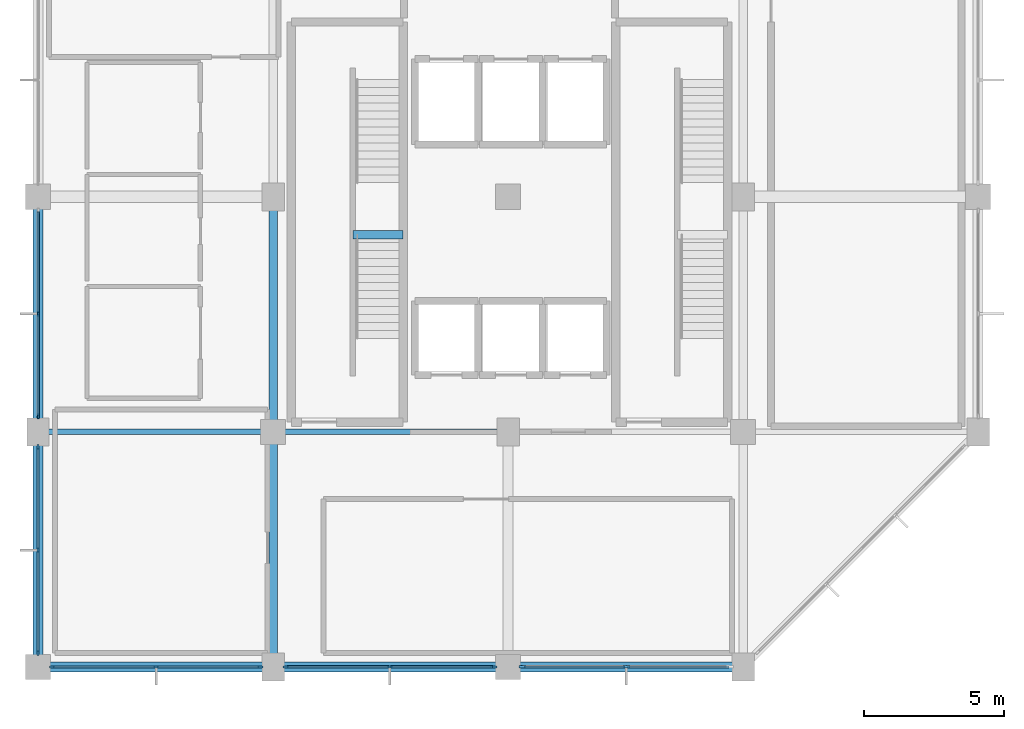
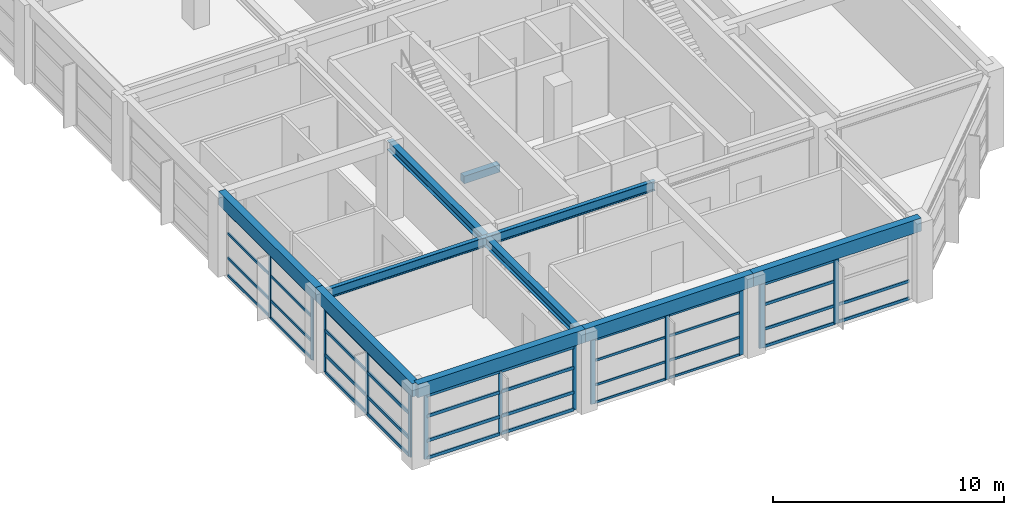
# One storey, part 2 of 12: 51 members, 10 beams, 5 elements without a shape of their own.
"""IFC4 building model written with IfcOpenShell, lengths in metres."""

from ifc_helpers import new_model, si_unit, direction, frame, origin, origin_2d, place, context, subcontext, project, spatial, rectangle, i_section, extrude, material, material_profile, profile_set, type_object, element, aggregate, save


model = new_model("IFC4")

# Units and contexts
model_context = context("Model", 3, precision=1e-05, world=origin(), true_north=direction((0.0, 1.0)))
body_context = subcontext(model_context, "Body", "Model", "MODEL_VIEW")
ifc_project = project(units=[si_unit("LENGTHUNIT", "METRE"), si_unit("AREAUNIT", "SQUARE_METRE"), si_unit("VOLUMEUNIT", "CUBIC_METRE"), si_unit("PLANEANGLEUNIT", "RADIAN"), si_unit("MASSUNIT", "GRAM", prefix="KILO")], contexts=[model_context])

# Site, building, storey
site_placement = place(None, origin())
site = spatial("IfcSite", under=ifc_project, at=site_placement, CompositionType="ELEMENT")
building_placement = place(site_placement, origin())
building = spatial("IfcBuilding", under=site, at=building_placement, Name="Xuanlan Plaza Opera House", CompositionType="ELEMENT")
storey_placement = place(building_placement, frame((0.0, 0.0, 65.699951171875)))
storey = spatial("IfcBuildingStorey", under=building, at=storey_placement, Name="L15", CompositionType="ELEMENT", Elevation=65.699951171875)

# Curtain wall, members
ifc_material_1 = material(Name="Anodised Aluminium 6063-T6 and Low-E Glass", Category="aluminium")
curtain_wall_type_1 = type_object("IfcCurtainWallType", Name="ENV-CW-CW-04", PredefinedType="USERDEFINED", material=ifc_material_1)
curtain_wall_1_placement = place(storey_placement, origin())
curtain_wall_1 = element("IfcCurtainWall", 1, at=curtain_wall_1_placement, inside=storey, type_object=curtain_wall_type_1, Name="Unitised Curtain Wall L15-015", ObjectType="UNITISED CURTAIN WALL", PredefinedType="USERDEFINED")
ifc_material_2 = material(Name="Anodised Aluminium 6063-T6", Category="aluminium")
ifc_material_profile_1 = material_profile(ifc_material_2, rectangle(XDim=0.070068359375, YDim=0.179931640625, at=origin_2d()), Name="ALU-M 70x180")
ifc_profile_set_1 = profile_set([ifc_material_profile_1], Name="Anodised Aluminium 6063-T6")
member_type_1 = type_object("IfcMemberType", Name="ENV-CWM-02", PredefinedType="MULLION", material=ifc_profile_set_1)
member_1_placement = place(storey_placement, frame((126.0, 54.625, 0.0), z_axis=(0.0, 0.0, 1.0), x_axis=(1.0, 0.0, 0.0)))
member_1 = element("IfcMember", 2, at=member_1_placement, type_object=member_type_1, Name="CW-04 mullion 2", PredefinedType="MULLION", context=body_context, shape_type="SweptSolid", body=[
    extrude(rectangle(XDim=0.070068359375, YDim=0.179931640625, at=origin_2d()), origin(), (0.0, 0.0, 1.0), 3.380126953125),
])
member_2_placement = place(storey_placement, frame((126.0, 50.955078125, 0.0), z_axis=(0.0, 0.0, 1.0), x_axis=(1.0, 0.0, 0.0)))
member_2 = element("IfcMember", 3, at=member_2_placement, type_object=member_type_1, Name="CW-04 mullion 3", PredefinedType="MULLION", context=body_context, shape_type="SweptSolid", body=[
    extrude(rectangle(XDim=0.070068359375, YDim=0.179931640625, at=origin_2d()), origin(), (0.0, 0.0, 1.0), 3.380126953125),
])

curtain_wall_type_2 = type_object("IfcCurtainWallType", Name="ENV-CW-CW-02", PredefinedType="USERDEFINED", material=ifc_material_1)
curtain_wall_2_placement = place(storey_placement, origin())
curtain_wall_2 = element("IfcCurtainWall", 4, at=curtain_wall_2_placement, inside=storey, type_object=curtain_wall_type_2, Name="Unitised Curtain Wall L15-001", ObjectType="UNITISED CURTAIN WALL", PredefinedType="USERDEFINED")
ifc_material_profile_2 = material_profile(ifc_material_2, rectangle(XDim=0.074951171875, YDim=0.199951171875, at=origin_2d()), Name="ALU-M 75x200")
ifc_profile_set_2 = profile_set([ifc_material_profile_2], Name="Anodised Aluminium 6063-T6")
member_type_2 = type_object("IfcMemberType", Name="ENV-CWM-03", PredefinedType="MULLION", material=ifc_profile_set_2)
member_3_placement = place(storey_placement, frame((126.507568359375, 42.0, 0.0), z_axis=(0.0, 0.0, 1.0), x_axis=(0.0, 1.0, 0.0)))
member_3 = element("IfcMember", 5, at=member_3_placement, type_object=member_type_2, Name="CW-02 mullion 1", PredefinedType="MULLION", context=body_context, shape_type="SweptSolid", body=[
    extrude(rectangle(XDim=0.074951171875, YDim=0.199951171875, at=origin_2d()), origin(), (0.0, 0.0, 1.0), 3.380126953125),
])
member_4_placement = place(storey_placement, frame((130.22509765625, 42.0, 0.0), z_axis=(0.0, 0.0, 1.0), x_axis=(0.0, 1.0, 0.0)))
member_4 = element("IfcMember", 6, at=member_4_placement, type_object=member_type_2, Name="CW-02 mullion 2", PredefinedType="MULLION", context=body_context, shape_type="SweptSolid", body=[
    extrude(rectangle(XDim=0.074951171875, YDim=0.199951171875, at=origin_2d()), origin(), (0.0, 0.0, 1.0), 3.380126953125),
])
member_5_placement = place(storey_placement, frame((133.9423828125, 42.0, 0.0), z_axis=(0.0, 0.0, 1.0), x_axis=(0.0, 1.0, 0.0)))
member_5 = element("IfcMember", 7, at=member_5_placement, type_object=member_type_2, Name="CW-02 mullion 3", PredefinedType="MULLION", context=body_context, shape_type="SweptSolid", body=[
    extrude(rectangle(XDim=0.074951171875, YDim=0.199951171875, at=origin_2d()), origin(), (0.0, 0.0, 1.0), 3.380126953125),
])

curtain_wall_type_3 = type_object("IfcCurtainWallType", Name="ENV-CW-CW-01", PredefinedType="USERDEFINED", material=ifc_material_1)
curtain_wall_3_placement = place(storey_placement, origin())
curtain_wall_3 = element("IfcCurtainWall", 8, at=curtain_wall_3_placement, inside=storey, type_object=curtain_wall_type_3, Name="Unitised Curtain Wall L15-016", ObjectType="UNITISED CURTAIN WALL", PredefinedType="USERDEFINED")
member_6_placement = place(storey_placement, frame((126.0, 49.842529296875, 0.0), z_axis=(0.0, 0.0, 1.0), x_axis=(1.0, 0.0, 0.0)))
member_6 = element("IfcMember", 9, at=member_6_placement, type_object=member_type_2, Name="CW-01 mullion 1", PredefinedType="MULLION", context=body_context, shape_type="SweptSolid", body=[
    extrude(rectangle(XDim=0.074951171875, YDim=0.199951171875, at=origin_2d()), origin(), (0.0, 0.0, 1.0), 3.380126953125),
])
member_7_placement = place(storey_placement, frame((126.0, 46.175048828125, 0.0), z_axis=(0.0, 0.0, 1.0), x_axis=(1.0, 0.0, 0.0)))
member_7 = element("IfcMember", 10, at=member_7_placement, type_object=member_type_2, Name="CW-01 mullion 2", PredefinedType="MULLION", context=body_context, shape_type="SweptSolid", body=[
    extrude(rectangle(XDim=0.074951171875, YDim=0.199951171875, at=origin_2d()), origin(), (0.0, 0.0, 1.0), 3.380126953125),
])
member_8_placement = place(storey_placement, frame((126.0, 42.507568359375, 0.0), z_axis=(0.0, 0.0, 1.0), x_axis=(1.0, 0.0, 0.0)))
member_8 = element("IfcMember", 11, at=member_8_placement, type_object=member_type_2, Name="CW-01 mullion 3", PredefinedType="MULLION", context=body_context, shape_type="SweptSolid", body=[
    extrude(rectangle(XDim=0.074951171875, YDim=0.199951171875, at=origin_2d()), origin(), (0.0, 0.0, 1.0), 3.380126953125),
])

curtain_wall_type_4 = type_object("IfcCurtainWallType", Name="ENV-CW-CW-03", PredefinedType="USERDEFINED", material=ifc_material_1)
curtain_wall_4_placement = place(storey_placement, origin())
curtain_wall_4 = element("IfcCurtainWall", 12, at=curtain_wall_4_placement, inside=storey, type_object=curtain_wall_type_4, Name="Unitised Curtain Wall L15-002", ObjectType="UNITISED CURTAIN WALL", PredefinedType="USERDEFINED")
ifc_material_profile_3 = material_profile(ifc_material_2, rectangle(XDim=0.080078125, YDim=0.219970703125, at=origin_2d()), Name="ALU-M 80x220")
ifc_profile_set_3 = profile_set([ifc_material_profile_3], Name="Anodised Aluminium 6063-T6")
member_type_3 = type_object("IfcMemberType", Name="ENV-CWM-04", PredefinedType="MULLION", material=ifc_profile_set_3)
member_9_placement = place(storey_placement, frame((134.860107421875, 42.0, 0.0), z_axis=(0.0, 0.0, 1.0), x_axis=(0.0, 1.0, 0.0)))
member_9 = element("IfcMember", 13, at=member_9_placement, type_object=member_type_3, Name="CW-03 mullion 1", PredefinedType="MULLION", context=body_context, shape_type="SweptSolid", body=[
    extrude(rectangle(XDim=0.080078125, YDim=0.219970703125, at=origin_2d()), origin(), (0.0, 0.0, 1.0), 3.380126953125),
])
member_10_placement = place(storey_placement, frame((138.574951171875, 42.0, 0.0), z_axis=(0.0, 0.0, 1.0), x_axis=(0.0, 1.0, 0.0)))
member_10 = element("IfcMember", 14, at=member_10_placement, type_object=member_type_3, Name="CW-03 mullion 2", PredefinedType="MULLION", context=body_context, shape_type="SweptSolid", body=[
    extrude(rectangle(XDim=0.080078125, YDim=0.219970703125, at=origin_2d()), origin(), (0.0, 0.0, 1.0), 3.380126953125),
])
member_11_placement = place(storey_placement, frame((142.2900390625, 42.0, 0.0), z_axis=(0.0, 0.0, 1.0), x_axis=(0.0, 1.0, 0.0)))
member_11 = element("IfcMember", 15, at=member_11_placement, type_object=member_type_3, Name="CW-03 mullion 3", PredefinedType="MULLION", context=body_context, shape_type="SweptSolid", body=[
    extrude(rectangle(XDim=0.080078125, YDim=0.219970703125, at=origin_2d()), origin(), (0.0, 0.0, 1.0), 3.380126953125),
])

curtain_wall_5_placement = place(storey_placement, origin())
curtain_wall_5 = element("IfcCurtainWall", 16, at=curtain_wall_5_placement, inside=storey, type_object=curtain_wall_type_1, Name="Unitised Curtain Wall L15-003", ObjectType="UNITISED CURTAIN WALL", PredefinedType="USERDEFINED")
ifc_material_profile_4 = material_profile(ifc_material_2, rectangle(XDim=0.090087890625, YDim=0.25, at=origin_2d()), Name="ALU-M 90x250")
ifc_profile_set_4 = profile_set([ifc_material_profile_4], Name="Anodised Aluminium 6063-T6")
member_type_4 = type_object("IfcMemberType", Name="ENV-CWM-05", PredefinedType="MULLION", material=ifc_profile_set_4)
member_12_placement = place(storey_placement, frame((143.31494140625, 42.0, 0.0), z_axis=(0.0, 0.0, 1.0), x_axis=(0.0, 1.0, 0.0)))
member_12 = element("IfcMember", 17, at=member_12_placement, type_object=member_type_4, Name="CW-04 mullion 1", PredefinedType="MULLION", context=body_context, shape_type="SweptSolid", body=[
    extrude(rectangle(XDim=0.090087890625, YDim=0.25, at=origin_2d()), origin(), (0.0, 0.0, 1.0), 3.380126953125),
])
member_13_placement = place(storey_placement, frame((147.02490234375, 42.0, 0.0), z_axis=(0.0, 0.0, 1.0), x_axis=(0.0, 1.0, 0.0)))
member_13 = element("IfcMember", 18, at=member_13_placement, type_object=member_type_4, Name="CW-04 mullion 2", PredefinedType="MULLION", context=body_context, shape_type="SweptSolid", body=[
    extrude(rectangle(XDim=0.090087890625, YDim=0.25, at=origin_2d()), origin(), (0.0, 0.0, 1.0), 3.380126953125),
])

# Member
ifc_material_profile_5 = material_profile(ifc_material_2, rectangle(XDim=0.06494140625, YDim=0.1201171875, at=origin_2d()), Name="ALU-T 65x120")
ifc_profile_set_5 = profile_set([ifc_material_profile_5], Name="Anodised Aluminium 6063-T6")
member_type_5 = type_object("IfcMemberType", Name="ENV-CWT-01", PredefinedType="USERDEFINED", material=ifc_profile_set_5)
member_14_placement = place(storey_placement, frame((134.89990234375, 42.0, 0.032470703125), z_axis=(1.0, 0.0, 0.0), x_axis=(0.0, 1.0, 0.0)))
member_14 = element("IfcMember", 19, at=member_14_placement, type_object=member_type_5, Name="CW-03 transom 1.1", ObjectType="TRANSOM", PredefinedType="USERDEFINED", context=body_context, shape_type="SweptSolid", body=[
    extrude(rectangle(XDim=0.06494140625, YDim=0.1201171875, at=origin_2d()), origin(), (0.0, 0.0, 1.0), 3.635009765625),
])

member_15_placement = place(storey_placement, frame((134.89990234375, 42.0, 0.949951171875), z_axis=(1.0, 0.0, 0.0), x_axis=(0.0, 1.0, 0.0)))
member_15 = element("IfcMember", 20, at=member_15_placement, type_object=member_type_5, Name="CW-03 transom 1.2", ObjectType="TRANSOM", PredefinedType="USERDEFINED", context=body_context, shape_type="SweptSolid", body=[
    extrude(rectangle(XDim=0.06494140625, YDim=0.1201171875, at=origin_2d()), origin(), (0.0, 0.0, 1.0), 3.635009765625),
])

member_16_placement = place(storey_placement, frame((134.89990234375, 42.0, 2.25), z_axis=(1.0, 0.0, 0.0), x_axis=(0.0, 1.0, 0.0)))
member_16 = element("IfcMember", 21, at=member_16_placement, type_object=member_type_5, Name="CW-03 transom 1.3", ObjectType="TRANSOM", PredefinedType="USERDEFINED", context=body_context, shape_type="SweptSolid", body=[
    extrude(rectangle(XDim=0.06494140625, YDim=0.1201171875, at=origin_2d()), origin(), (0.0, 0.0, 1.0), 3.635009765625),
])

member_17_placement = place(storey_placement, frame((134.89990234375, 42.0, 3.34765625), z_axis=(1.0, 0.0, 0.0), x_axis=(0.0, 1.0, 0.0)))
member_17 = element("IfcMember", 22, at=member_17_placement, type_object=member_type_5, Name="CW-03 transom 1.4", ObjectType="TRANSOM", PredefinedType="USERDEFINED", context=body_context, shape_type="SweptSolid", body=[
    extrude(rectangle(XDim=0.06494140625, YDim=0.1201171875, at=origin_2d()), origin(), (0.0, 0.0, 1.0), 3.635009765625),
])

member_18_placement = place(storey_placement, frame((138.614990234375, 42.0, 0.032470703125), z_axis=(1.0, 0.0, 0.0), x_axis=(0.0, 1.0, 0.0)))
member_18 = element("IfcMember", 23, at=member_18_placement, type_object=member_type_5, Name="CW-03 transom 2.1", ObjectType="TRANSOM", PredefinedType="USERDEFINED", context=body_context, shape_type="SweptSolid", body=[
    extrude(rectangle(XDim=0.06494140625, YDim=0.1201171875, at=origin_2d()), origin(), (0.0, 0.0, 1.0), 3.635009765625),
])

member_19_placement = place(storey_placement, frame((138.614990234375, 42.0, 0.949951171875), z_axis=(1.0, 0.0, 0.0), x_axis=(0.0, 1.0, 0.0)))
member_19 = element("IfcMember", 24, at=member_19_placement, type_object=member_type_5, Name="CW-03 transom 2.2", ObjectType="TRANSOM", PredefinedType="USERDEFINED", context=body_context, shape_type="SweptSolid", body=[
    extrude(rectangle(XDim=0.06494140625, YDim=0.1201171875, at=origin_2d()), origin(), (0.0, 0.0, 1.0), 3.635009765625),
])

member_20_placement = place(storey_placement, frame((138.614990234375, 42.0, 2.25), z_axis=(1.0, 0.0, 0.0), x_axis=(0.0, 1.0, 0.0)))
member_20 = element("IfcMember", 25, at=member_20_placement, type_object=member_type_5, Name="CW-03 transom 2.3", ObjectType="TRANSOM", PredefinedType="USERDEFINED", context=body_context, shape_type="SweptSolid", body=[
    extrude(rectangle(XDim=0.06494140625, YDim=0.1201171875, at=origin_2d()), origin(), (0.0, 0.0, 1.0), 3.635009765625),
])

member_21_placement = place(storey_placement, frame((138.614990234375, 42.0, 3.34765625), z_axis=(1.0, 0.0, 0.0), x_axis=(0.0, 1.0, 0.0)))
member_21 = element("IfcMember", 26, at=member_21_placement, type_object=member_type_5, Name="CW-03 transom 2.4", ObjectType="TRANSOM", PredefinedType="USERDEFINED", context=body_context, shape_type="SweptSolid", body=[
    extrude(rectangle(XDim=0.06494140625, YDim=0.1201171875, at=origin_2d()), origin(), (0.0, 0.0, 1.0), 3.635009765625),
])

aggregate(curtain_wall_4, [member_9, member_10, member_11, member_14, member_15, member_16, member_17, member_18, member_19, member_20, member_21])

ifc_material_profile_6 = material_profile(ifc_material_2, rectangle(XDim=0.070068359375, YDim=0.135009765625, at=origin_2d()), Name="ALU-T 70x135")
ifc_profile_set_6 = profile_set([ifc_material_profile_6], Name="Anodised Aluminium 6063-T6")
member_type_6 = type_object("IfcMemberType", Name="ENV-CWT-02", PredefinedType="USERDEFINED", material=ifc_profile_set_6)
member_22_placement = place(storey_placement, frame((126.0, 58.260009765625, 0.03515625), z_axis=(0.0, -1.0, 0.0), x_axis=(1.0, 0.0, 0.0)))
member_22 = element("IfcMember", 27, at=member_22_placement, type_object=member_type_6, Name="CW-04 transom 1.1", ObjectType="TRANSOM", PredefinedType="USERDEFINED", context=body_context, shape_type="SweptSolid", body=[
    extrude(rectangle(XDim=0.070068359375, YDim=0.135009765625, at=origin_2d()), origin(), (0.0, 0.0, 1.0), 3.60009765625),
])

member_23_placement = place(storey_placement, frame((126.0, 58.260009765625, 0.949951171875), z_axis=(0.0, -1.0, 0.0), x_axis=(1.0, 0.0, 0.0)))
member_23 = element("IfcMember", 28, at=member_23_placement, type_object=member_type_6, Name="CW-04 transom 1.2", ObjectType="TRANSOM", PredefinedType="USERDEFINED", context=body_context, shape_type="SweptSolid", body=[
    extrude(rectangle(XDim=0.070068359375, YDim=0.135009765625, at=origin_2d()), origin(), (0.0, 0.0, 1.0), 3.60009765625),
])

member_24_placement = place(storey_placement, frame((126.0, 58.260009765625, 2.25), z_axis=(0.0, -1.0, 0.0), x_axis=(1.0, 0.0, 0.0)))
member_24 = element("IfcMember", 29, at=member_24_placement, type_object=member_type_6, Name="CW-04 transom 1.3", ObjectType="TRANSOM", PredefinedType="USERDEFINED", context=body_context, shape_type="SweptSolid", body=[
    extrude(rectangle(XDim=0.070068359375, YDim=0.135009765625, at=origin_2d()), origin(), (0.0, 0.0, 1.0), 3.60009765625),
])

member_25_placement = place(storey_placement, frame((126.0, 58.260009765625, 3.344970703125), z_axis=(0.0, -1.0, 0.0), x_axis=(1.0, 0.0, 0.0)))
member_25 = element("IfcMember", 30, at=member_25_placement, type_object=member_type_6, Name="CW-04 transom 1.4", ObjectType="TRANSOM", PredefinedType="USERDEFINED", context=body_context, shape_type="SweptSolid", body=[
    extrude(rectangle(XDim=0.070068359375, YDim=0.135009765625, at=origin_2d()), origin(), (0.0, 0.0, 1.0), 3.60009765625),
])

member_26_placement = place(storey_placement, frame((126.0, 54.590087890625, 0.03515625), z_axis=(0.0, -1.0, 0.0), x_axis=(1.0, 0.0, 0.0)))
member_26 = element("IfcMember", 31, at=member_26_placement, type_object=member_type_6, Name="CW-04 transom 2.1", ObjectType="TRANSOM", PredefinedType="USERDEFINED", context=body_context, shape_type="SweptSolid", body=[
    extrude(rectangle(XDim=0.070068359375, YDim=0.135009765625, at=origin_2d()), origin(), (0.0, 0.0, 1.0), 3.60009765625),
])

member_27_placement = place(storey_placement, frame((126.0, 54.590087890625, 0.949951171875), z_axis=(0.0, -1.0, 0.0), x_axis=(1.0, 0.0, 0.0)))
member_27 = element("IfcMember", 32, at=member_27_placement, type_object=member_type_6, Name="CW-04 transom 2.2", ObjectType="TRANSOM", PredefinedType="USERDEFINED", context=body_context, shape_type="SweptSolid", body=[
    extrude(rectangle(XDim=0.070068359375, YDim=0.135009765625, at=origin_2d()), origin(), (0.0, 0.0, 1.0), 3.60009765625),
])

member_28_placement = place(storey_placement, frame((126.0, 54.590087890625, 2.25), z_axis=(0.0, -1.0, 0.0), x_axis=(1.0, 0.0, 0.0)))
member_28 = element("IfcMember", 33, at=member_28_placement, type_object=member_type_6, Name="CW-04 transom 2.3", ObjectType="TRANSOM", PredefinedType="USERDEFINED", context=body_context, shape_type="SweptSolid", body=[
    extrude(rectangle(XDim=0.070068359375, YDim=0.135009765625, at=origin_2d()), origin(), (0.0, 0.0, 1.0), 3.60009765625),
])

member_29_placement = place(storey_placement, frame((126.0, 54.590087890625, 3.344970703125), z_axis=(0.0, -1.0, 0.0), x_axis=(1.0, 0.0, 0.0)))
member_29 = element("IfcMember", 34, at=member_29_placement, type_object=member_type_6, Name="CW-04 transom 2.4", ObjectType="TRANSOM", PredefinedType="USERDEFINED", context=body_context, shape_type="SweptSolid", body=[
    extrude(rectangle(XDim=0.070068359375, YDim=0.135009765625, at=origin_2d()), origin(), (0.0, 0.0, 1.0), 3.60009765625),
])

aggregate(curtain_wall_1, [member_1, member_2, member_22, member_23, member_24, member_25, member_26, member_27, member_28, member_29])

ifc_material_profile_7 = material_profile(ifc_material_2, rectangle(XDim=0.074951171875, YDim=0.14990234375, at=origin_2d()), Name="ALU-T 75x150")
ifc_profile_set_7 = profile_set([ifc_material_profile_7], Name="Anodised Aluminium 6063-T6")
member_type_7 = type_object("IfcMemberType", Name="ENV-CWT-03", PredefinedType="USERDEFINED", material=ifc_profile_set_7)
member_30_placement = place(storey_placement, frame((143.360107421875, 42.0, 0.03759765625), z_axis=(1.0, 0.0, 0.0), x_axis=(0.0, 1.0, 0.0)))
member_30 = element("IfcMember", 35, at=member_30_placement, type_object=member_type_7, Name="CW-04 transom 1.1", ObjectType="TRANSOM", PredefinedType="USERDEFINED", context=body_context, shape_type="SweptSolid", body=[
    extrude(rectangle(XDim=0.074951171875, YDim=0.14990234375, at=origin_2d()), origin(), (0.0, 0.0, 1.0), 3.619873046875),
])

member_31_placement = place(storey_placement, frame((143.360107421875, 42.0, 0.949951171875), z_axis=(1.0, 0.0, 0.0), x_axis=(0.0, 1.0, 0.0)))
member_31 = element("IfcMember", 36, at=member_31_placement, type_object=member_type_7, Name="CW-04 transom 1.2", ObjectType="TRANSOM", PredefinedType="USERDEFINED", context=body_context, shape_type="SweptSolid", body=[
    extrude(rectangle(XDim=0.074951171875, YDim=0.14990234375, at=origin_2d()), origin(), (0.0, 0.0, 1.0), 3.619873046875),
])

member_32_placement = place(storey_placement, frame((143.360107421875, 42.0, 2.25), z_axis=(1.0, 0.0, 0.0), x_axis=(0.0, 1.0, 0.0)))
member_32 = element("IfcMember", 37, at=member_32_placement, type_object=member_type_7, Name="CW-04 transom 1.3", ObjectType="TRANSOM", PredefinedType="USERDEFINED", context=body_context, shape_type="SweptSolid", body=[
    extrude(rectangle(XDim=0.074951171875, YDim=0.14990234375, at=origin_2d()), origin(), (0.0, 0.0, 1.0), 3.619873046875),
])

member_33_placement = place(storey_placement, frame((143.360107421875, 42.0, 3.342529296875), z_axis=(1.0, 0.0, 0.0), x_axis=(0.0, 1.0, 0.0)))
member_33 = element("IfcMember", 38, at=member_33_placement, type_object=member_type_7, Name="CW-04 transom 1.4", ObjectType="TRANSOM", PredefinedType="USERDEFINED", context=body_context, shape_type="SweptSolid", body=[
    extrude(rectangle(XDim=0.074951171875, YDim=0.14990234375, at=origin_2d()), origin(), (0.0, 0.0, 1.0), 3.619873046875),
])

member_34_placement = place(storey_placement, frame((147.070068359375, 42.0, 0.03759765625), z_axis=(1.0, 0.0, 0.0), x_axis=(0.0, 1.0, 0.0)))
member_34 = element("IfcMember", 39, at=member_34_placement, type_object=member_type_7, Name="CW-04 transom 2.1", ObjectType="TRANSOM", PredefinedType="USERDEFINED", context=body_context, shape_type="SweptSolid", body=[
    extrude(rectangle(XDim=0.074951171875, YDim=0.14990234375, at=origin_2d()), origin(), (0.0, 0.0, 1.0), 3.619873046875),
])

member_35_placement = place(storey_placement, frame((147.070068359375, 42.0, 0.949951171875), z_axis=(1.0, 0.0, 0.0), x_axis=(0.0, 1.0, 0.0)))
member_35 = element("IfcMember", 40, at=member_35_placement, type_object=member_type_7, Name="CW-04 transom 2.2", ObjectType="TRANSOM", PredefinedType="USERDEFINED", context=body_context, shape_type="SweptSolid", body=[
    extrude(rectangle(XDim=0.074951171875, YDim=0.14990234375, at=origin_2d()), origin(), (0.0, 0.0, 1.0), 3.619873046875),
])

aggregate(curtain_wall_5, [member_12, member_13, member_30, member_31, member_32, member_33, member_34, member_35])

ifc_material_profile_8 = material_profile(ifc_material_2, rectangle(XDim=0.080078125, YDim=0.1650390625, at=origin_2d()), Name="ALU-T 80x165")
ifc_profile_set_8 = profile_set([ifc_material_profile_8], Name="Anodised Aluminium 6063-T6")
member_type_8 = type_object("IfcMemberType", Name="ENV-CWT-04", PredefinedType="USERDEFINED", material=ifc_profile_set_8)
member_36_placement = place(storey_placement, frame((126.544921875, 42.0, 0.0400390625), z_axis=(1.0, 0.0, 0.0), x_axis=(0.0, 1.0, 0.0)))
member_36 = element("IfcMember", 41, at=member_36_placement, type_object=member_type_8, Name="CW-02 transom 1.1", ObjectType="TRANSOM", PredefinedType="USERDEFINED", context=body_context, shape_type="SweptSolid", body=[
    extrude(rectangle(XDim=0.080078125, YDim=0.1650390625, at=origin_2d()), origin(), (0.0, 0.0, 1.0), 3.642578125),
])

member_37_placement = place(storey_placement, frame((126.544921875, 42.0, 0.949951171875), z_axis=(1.0, 0.0, 0.0), x_axis=(0.0, 1.0, 0.0)))
member_37 = element("IfcMember", 42, at=member_37_placement, type_object=member_type_8, Name="CW-02 transom 1.2", ObjectType="TRANSOM", PredefinedType="USERDEFINED", context=body_context, shape_type="SweptSolid", body=[
    extrude(rectangle(XDim=0.080078125, YDim=0.1650390625, at=origin_2d()), origin(), (0.0, 0.0, 1.0), 3.642578125),
])

member_38_placement = place(storey_placement, frame((126.544921875, 42.0, 2.25), z_axis=(1.0, 0.0, 0.0), x_axis=(0.0, 1.0, 0.0)))
member_38 = element("IfcMember", 43, at=member_38_placement, type_object=member_type_8, Name="CW-02 transom 1.3", ObjectType="TRANSOM", PredefinedType="USERDEFINED", context=body_context, shape_type="SweptSolid", body=[
    extrude(rectangle(XDim=0.080078125, YDim=0.1650390625, at=origin_2d()), origin(), (0.0, 0.0, 1.0), 3.642578125),
])

member_39_placement = place(storey_placement, frame((126.544921875, 42.0, 3.340087890625), z_axis=(1.0, 0.0, 0.0), x_axis=(0.0, 1.0, 0.0)))
member_39 = element("IfcMember", 44, at=member_39_placement, type_object=member_type_8, Name="CW-02 transom 1.4", ObjectType="TRANSOM", PredefinedType="USERDEFINED", context=body_context, shape_type="SweptSolid", body=[
    extrude(rectangle(XDim=0.080078125, YDim=0.1650390625, at=origin_2d()), origin(), (0.0, 0.0, 1.0), 3.642578125),
])

member_40_placement = place(storey_placement, frame((130.262451171875, 42.0, 0.0400390625), z_axis=(1.0, 0.0, 0.0), x_axis=(0.0, 1.0, 0.0)))
member_40 = element("IfcMember", 45, at=member_40_placement, type_object=member_type_8, Name="CW-02 transom 2.1", ObjectType="TRANSOM", PredefinedType="USERDEFINED", context=body_context, shape_type="SweptSolid", body=[
    extrude(rectangle(XDim=0.080078125, YDim=0.1650390625, at=origin_2d()), origin(), (0.0, 0.0, 1.0), 3.642578125),
])

member_41_placement = place(storey_placement, frame((130.262451171875, 42.0, 0.949951171875), z_axis=(1.0, 0.0, 0.0), x_axis=(0.0, 1.0, 0.0)))
member_41 = element("IfcMember", 46, at=member_41_placement, type_object=member_type_8, Name="CW-02 transom 2.2", ObjectType="TRANSOM", PredefinedType="USERDEFINED", context=body_context, shape_type="SweptSolid", body=[
    extrude(rectangle(XDim=0.080078125, YDim=0.1650390625, at=origin_2d()), origin(), (0.0, 0.0, 1.0), 3.642578125),
])

member_42_placement = place(storey_placement, frame((130.262451171875, 42.0, 2.25), z_axis=(1.0, 0.0, 0.0), x_axis=(0.0, 1.0, 0.0)))
member_42 = element("IfcMember", 47, at=member_42_placement, type_object=member_type_8, Name="CW-02 transom 2.3", ObjectType="TRANSOM", PredefinedType="USERDEFINED", context=body_context, shape_type="SweptSolid", body=[
    extrude(rectangle(XDim=0.080078125, YDim=0.1650390625, at=origin_2d()), origin(), (0.0, 0.0, 1.0), 3.642578125),
])

member_43_placement = place(storey_placement, frame((130.262451171875, 42.0, 3.340087890625), z_axis=(1.0, 0.0, 0.0), x_axis=(0.0, 1.0, 0.0)))
member_43 = element("IfcMember", 48, at=member_43_placement, type_object=member_type_8, Name="CW-02 transom 2.4", ObjectType="TRANSOM", PredefinedType="USERDEFINED", context=body_context, shape_type="SweptSolid", body=[
    extrude(rectangle(XDim=0.080078125, YDim=0.1650390625, at=origin_2d()), origin(), (0.0, 0.0, 1.0), 3.642578125),
])

aggregate(curtain_wall_2, [member_3, member_4, member_5, member_36, member_37, member_38, member_39, member_40, member_41, member_42, member_43])

member_44_placement = place(storey_placement, frame((126.0, 49.804931640625, 0.0400390625), z_axis=(0.0, -1.0, 0.0), x_axis=(1.0, 0.0, 0.0)))
member_44 = element("IfcMember", 49, at=member_44_placement, type_object=member_type_8, Name="CW-01 transom 1.1", ObjectType="TRANSOM", PredefinedType="USERDEFINED", context=body_context, shape_type="SweptSolid", body=[
    extrude(rectangle(XDim=0.080078125, YDim=0.1650390625, at=origin_2d()), origin(), (0.0, 0.0, 1.0), 3.592529296875),
])

member_45_placement = place(storey_placement, frame((126.0, 49.804931640625, 0.949951171875), z_axis=(0.0, -1.0, 0.0), x_axis=(1.0, 0.0, 0.0)))
member_45 = element("IfcMember", 50, at=member_45_placement, type_object=member_type_8, Name="CW-01 transom 1.2", ObjectType="TRANSOM", PredefinedType="USERDEFINED", context=body_context, shape_type="SweptSolid", body=[
    extrude(rectangle(XDim=0.080078125, YDim=0.1650390625, at=origin_2d()), origin(), (0.0, 0.0, 1.0), 3.592529296875),
])

member_46_placement = place(storey_placement, frame((126.0, 49.804931640625, 2.25), z_axis=(0.0, -1.0, 0.0), x_axis=(1.0, 0.0, 0.0)))
member_46 = element("IfcMember", 51, at=member_46_placement, type_object=member_type_8, Name="CW-01 transom 1.3", ObjectType="TRANSOM", PredefinedType="USERDEFINED", context=body_context, shape_type="SweptSolid", body=[
    extrude(rectangle(XDim=0.080078125, YDim=0.1650390625, at=origin_2d()), origin(), (0.0, 0.0, 1.0), 3.592529296875),
])

member_47_placement = place(storey_placement, frame((126.0, 49.804931640625, 3.340087890625), z_axis=(0.0, -1.0, 0.0), x_axis=(1.0, 0.0, 0.0)))
member_47 = element("IfcMember", 52, at=member_47_placement, type_object=member_type_8, Name="CW-01 transom 1.4", ObjectType="TRANSOM", PredefinedType="USERDEFINED", context=body_context, shape_type="SweptSolid", body=[
    extrude(rectangle(XDim=0.080078125, YDim=0.1650390625, at=origin_2d()), origin(), (0.0, 0.0, 1.0), 3.592529296875),
])

member_48_placement = place(storey_placement, frame((126.0, 46.137451171875, 0.0400390625), z_axis=(0.0, -1.0, 0.0), x_axis=(1.0, 0.0, 0.0)))
member_48 = element("IfcMember", 53, at=member_48_placement, type_object=member_type_8, Name="CW-01 transom 2.1", ObjectType="TRANSOM", PredefinedType="USERDEFINED", context=body_context, shape_type="SweptSolid", body=[
    extrude(rectangle(XDim=0.080078125, YDim=0.1650390625, at=origin_2d()), origin(), (0.0, 0.0, 1.0), 3.592529296875),
])

member_49_placement = place(storey_placement, frame((126.0, 46.137451171875, 0.949951171875), z_axis=(0.0, -1.0, 0.0), x_axis=(1.0, 0.0, 0.0)))
member_49 = element("IfcMember", 54, at=member_49_placement, type_object=member_type_8, Name="CW-01 transom 2.2", ObjectType="TRANSOM", PredefinedType="USERDEFINED", context=body_context, shape_type="SweptSolid", body=[
    extrude(rectangle(XDim=0.080078125, YDim=0.1650390625, at=origin_2d()), origin(), (0.0, 0.0, 1.0), 3.592529296875),
])

member_50_placement = place(storey_placement, frame((126.0, 46.137451171875, 2.25), z_axis=(0.0, -1.0, 0.0), x_axis=(1.0, 0.0, 0.0)))
member_50 = element("IfcMember", 55, at=member_50_placement, type_object=member_type_8, Name="CW-01 transom 2.3", ObjectType="TRANSOM", PredefinedType="USERDEFINED", context=body_context, shape_type="SweptSolid", body=[
    extrude(rectangle(XDim=0.080078125, YDim=0.1650390625, at=origin_2d()), origin(), (0.0, 0.0, 1.0), 3.592529296875),
])

member_51_placement = place(storey_placement, frame((126.0, 46.137451171875, 3.340087890625), z_axis=(0.0, -1.0, 0.0), x_axis=(1.0, 0.0, 0.0)))
member_51 = element("IfcMember", 56, at=member_51_placement, type_object=member_type_8, Name="CW-01 transom 2.4", ObjectType="TRANSOM", PredefinedType="USERDEFINED", context=body_context, shape_type="SweptSolid", body=[
    extrude(rectangle(XDim=0.080078125, YDim=0.1650390625, at=origin_2d()), origin(), (0.0, 0.0, 1.0), 3.592529296875),
])

aggregate(curtain_wall_3, [member_6, member_7, member_8, member_44, member_45, member_46, member_47, member_48, member_49, member_50, member_51])

# Beams
ifc_material_3 = material(Name="Concrete C40", Category="concrete")
ifc_material_profile_9 = material_profile(ifc_material_3, rectangle(XDim=0.300048828125, YDim=0.39990234375, at=origin_2d()), Name="RC-LNT 300x400")
ifc_profile_set_9 = profile_set([ifc_material_profile_9], Name="Concrete C40")
beam_type_1 = type_object("IfcBeamType", Name="STR-BM-LN-01", PredefinedType="LINTEL", material=ifc_profile_set_9)
beam_1_placement = place(storey_placement, frame((137.25, 57.445068359375, 1.699951171875), z_axis=(1.0, 0.0, 0.0), x_axis=(0.0, 1.0, 0.0)))
element("IfcBeam", 57, at=beam_1_placement, inside=storey, type_object=beam_type_1, Name="Stair Mid-Landing Trimmer Beam ST-T1 L15", PredefinedType="LINTEL", context=body_context, shape_type="SweptSolid", body=[
    extrude(rectangle(XDim=0.300048828125, YDim=0.39990234375, at=origin_2d()), origin(), (0.0, 0.0, 1.0), 1.800048828125),
])
ifc_material_4 = material(Name="Steel Q355B", Category="steel")
ifc_material_profile_10 = material_profile(ifc_material_4, i_section(OverallWidth=0.199951171875, OverallDepth=0.5, WebThickness=0.010009765625, FlangeThickness=0.01611328125, FilletRadius=0.02001953125, at=origin_2d()), Name="HN 500x200x10x16")
ifc_profile_set_10 = profile_set([ifc_material_profile_10], Name="Steel Q355B")
beam_type_2 = type_object("IfcBeamType", Name="STR-BM-SB-05", PredefinedType="BEAM", material=ifc_profile_set_10)
beam_2_placement = place(storey_placement, frame((126.0, 50.39990234375, 3.705078125), z_axis=(1.0, 0.0, 0.0), x_axis=(0.0, 1.0, 0.0)))
element("IfcBeam", 58, at=beam_2_placement, inside=storey, type_object=beam_type_2, Name="Grid Beam X L15 16-17/G", PredefinedType="BEAM", context=body_context, shape_type="SweptSolid", body=[
    extrude(i_section(OverallWidth=0.199951171875, OverallDepth=0.5, WebThickness=0.010009765625, FlangeThickness=0.01611328125, FilletRadius=0.02001953125, at=origin_2d()), origin(), (0.0, 0.0, 1.0), 8.39990234375),
])
beam_3_placement = place(storey_placement, frame((134.39990234375, 50.39990234375, 3.705078125), z_axis=(1.0, 0.0, 0.0), x_axis=(0.0, 1.0, 0.0)))
element("IfcBeam", 59, at=beam_3_placement, inside=storey, type_object=beam_type_2, Name="Grid Beam X L15 17-18/G", PredefinedType="BEAM", context=body_context, shape_type="SweptSolid", body=[
    extrude(i_section(OverallWidth=0.199951171875, OverallDepth=0.5, WebThickness=0.010009765625, FlangeThickness=0.01611328125, FilletRadius=0.02001953125, at=origin_2d()), origin(), (0.0, 0.0, 1.0), 8.400146484375),
])
ifc_material_profile_11 = material_profile(ifc_material_4, i_section(OverallWidth=0.300048828125, OverallDepth=0.488037109375, WebThickness=0.010986328125, FlangeThickness=0.01806640625, FilletRadius=0.02197265625, at=origin_2d()), Name="HM 488x300x11x18")
ifc_profile_set_11 = profile_set([ifc_material_profile_11], Name="Steel Q355B")
beam_type_3 = type_object("IfcBeamType", Name="STR-BM-SB-07", PredefinedType="BEAM", material=ifc_profile_set_11)
beam_4_placement = place(storey_placement, frame((134.39990234375, 42.0, 3.7109375), z_axis=(0.0, 1.0, 0.0), x_axis=(-1.0, 0.0, 0.0)))
element("IfcBeam", 60, at=beam_4_placement, inside=storey, type_object=beam_type_3, Name="Grid Beam Y L15 17/F-G", PredefinedType="BEAM", context=body_context, shape_type="SweptSolid", body=[
    extrude(i_section(OverallWidth=0.300048828125, OverallDepth=0.488037109375, WebThickness=0.010986328125, FlangeThickness=0.01806640625, FilletRadius=0.02197265625, at=origin_2d()), origin(), (0.0, 0.0, 1.0), 8.39990234375),
])
beam_5_placement = place(storey_placement, frame((134.39990234375, 50.39990234375, 3.7109375), z_axis=(0.0, 1.0, 0.0), x_axis=(-1.0, 0.0, 0.0)))
element("IfcBeam", 61, at=beam_5_placement, inside=storey, type_object=beam_type_3, Name="Grid Beam Y L15 17/G-H", PredefinedType="BEAM", context=body_context, shape_type="SweptSolid", body=[
    extrude(i_section(OverallWidth=0.300048828125, OverallDepth=0.488037109375, WebThickness=0.010986328125, FlangeThickness=0.01806640625, FilletRadius=0.02197265625, at=origin_2d()), origin(), (0.0, 0.0, 1.0), 8.400146484375),
])
ifc_material_profile_12 = material_profile(ifc_material_3, rectangle(XDim=0.35009765625, YDim=0.699951171875, at=origin_2d()), Name="RC-SPD 350x700")
ifc_profile_set_12 = profile_set([ifc_material_profile_12], Name="Concrete C40")
beam_type_4 = type_object("IfcBeamType", Name="STR-BM-SP-02", PredefinedType="SPANDREL", material=ifc_profile_set_12)
beam_6_placement = place(storey_placement, frame((126.0, 42.0, 3.85009765625), z_axis=(1.0, 0.0, 0.0), x_axis=(0.0, 1.0, 0.0)))
element("IfcBeam", 62, at=beam_6_placement, inside=storey, type_object=beam_type_4, Name="Grid Beam X L15 16-17/F", PredefinedType="SPANDREL", context=body_context, shape_type="SweptSolid", body=[
    extrude(rectangle(XDim=0.35009765625, YDim=0.699951171875, at=origin_2d()), origin(), (0.0, 0.0, 1.0), 8.39990234375),
])
beam_7_placement = place(storey_placement, frame((134.39990234375, 42.0, 3.85009765625), z_axis=(1.0, 0.0, 0.0), x_axis=(0.0, 1.0, 0.0)))
element("IfcBeam", 63, at=beam_7_placement, inside=storey, type_object=beam_type_4, Name="Grid Beam X L15 17-18/F", PredefinedType="SPANDREL", context=body_context, shape_type="SweptSolid", body=[
    extrude(rectangle(XDim=0.35009765625, YDim=0.699951171875, at=origin_2d()), origin(), (0.0, 0.0, 1.0), 8.400146484375),
])
for number, where, z_axis, x_axis, name in (
    (64, (142.800048828125, 42.0, 3.85009765625), (1.0, 0.0, 0.0), (0.0, 1.0, 0.0), "Grid Beam X L15 18-19/F"),
    (65, (126.0, 42.0, 3.85009765625), (0.0, 1.0, 0.0), (-1.0, 0.0, 0.0), "Grid Beam Y L15 16/F-G"),
):
    element("IfcBeam", number, at=place(storey_placement, frame(where, z_axis=z_axis, x_axis=x_axis)), inside=storey, type_object=beam_type_4, Name=name, PredefinedType="SPANDREL", context=body_context, shape_type="SweptSolid", body=[
        extrude(rectangle(XDim=0.35009765625, YDim=0.699951171875, at=origin_2d()), origin(), (0.0, 0.0, 1.0), 8.39990234375),
    ])
beam_8_placement = place(storey_placement, frame((126.0, 50.39990234375, 3.85009765625), z_axis=(0.0, 1.0, 0.0), x_axis=(-1.0, 0.0, 0.0)))
element("IfcBeam", 66, at=beam_8_placement, inside=storey, type_object=beam_type_4, Name="Grid Beam Y L15 16/G-H", PredefinedType="SPANDREL", context=body_context, shape_type="SweptSolid", body=[
    extrude(rectangle(XDim=0.35009765625, YDim=0.699951171875, at=origin_2d()), origin(), (0.0, 0.0, 1.0), 8.400146484375),
])

save(model, "model.ifc")
